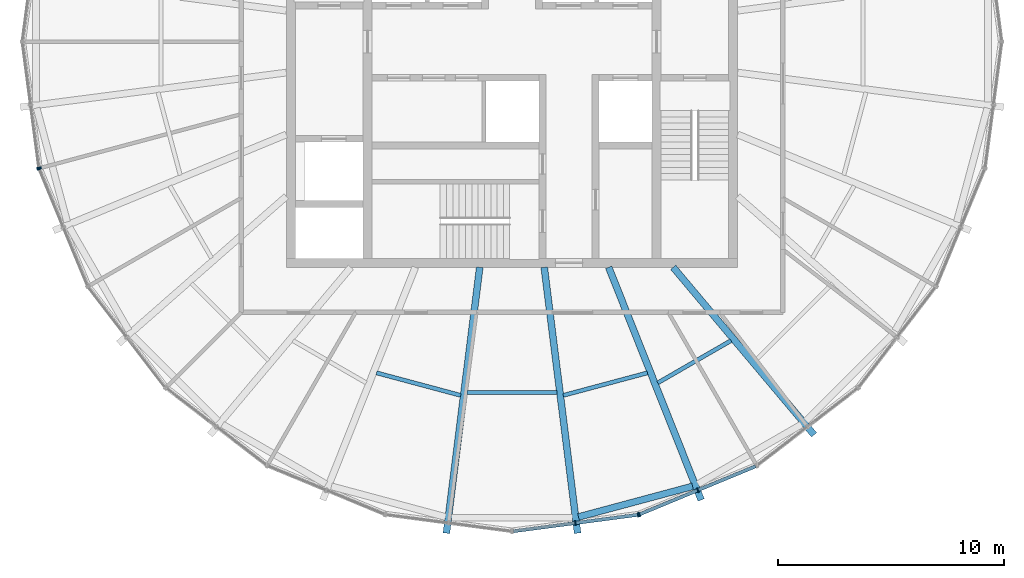
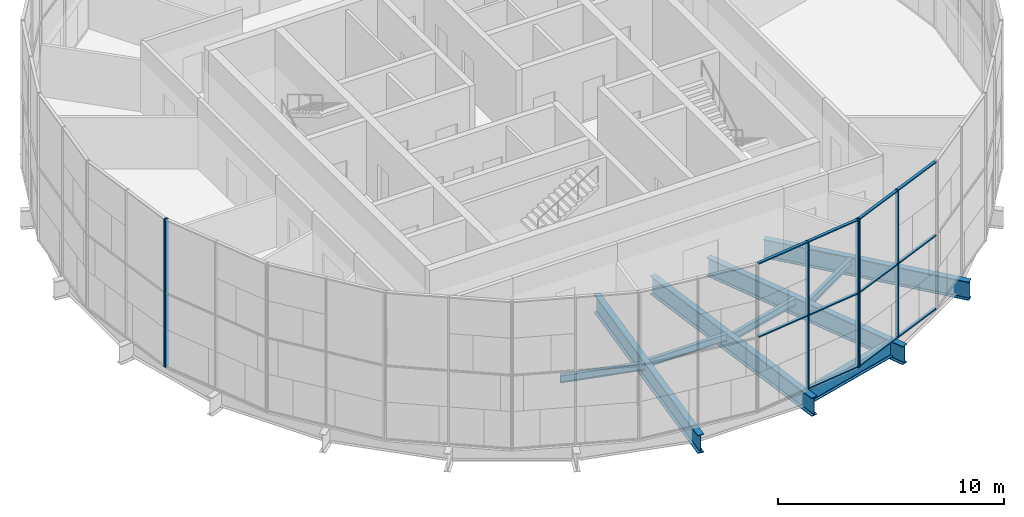
# One storey, part 2 of 18: 17 members, 9 beams, 4 elements without a shape of their own.
"""IFC4 building model written with IfcOpenShell, lengths in metres."""

from ifc_helpers import new_model, si_unit, direction, frame, origin, origin_2d, place, context, subcontext, project, spatial, rectangle, i_section, extrude, material, material_profile, profile_set, type_object, element, aggregate, save


model = new_model("IFC4")

# Units and contexts
model_context = context("Model", 3, precision=1e-05, world=origin(), true_north=direction((0.0, 1.0)))
body_context = subcontext(model_context, "Body", "Model", "MODEL_VIEW")
ifc_project = project(units=[si_unit("LENGTHUNIT", "METRE"), si_unit("AREAUNIT", "SQUARE_METRE"), si_unit("VOLUMEUNIT", "CUBIC_METRE"), si_unit("PLANEANGLEUNIT", "RADIAN"), si_unit("MASSUNIT", "GRAM", prefix="KILO")], contexts=[model_context])

# Site, building, storey
site_placement = place(None, origin())
site = spatial("IfcSite", under=ifc_project, at=site_placement, CompositionType="ELEMENT")
building_placement = place(site_placement, origin())
building = spatial("IfcBuilding", under=site, at=building_placement, Name="Golbaran Civic Tower", CompositionType="ELEMENT")
storey_placement = place(building_placement, frame((0.0, 0.0, 272.0)))
storey = spatial("IfcBuildingStorey", under=building, at=storey_placement, Name="L66", CompositionType="ELEMENT", Elevation=272.0)

# Beams
ifc_material_1 = material(Name="Steel S355", Category="steel")
ifc_material_profile_1 = material_profile(ifc_material_1, i_section(OverallWidth=0.300048828125, OverallDepth=0.800048828125, WebThickness=0.017578125, FlangeThickness=0.032958984375, FilletRadius=0.030029296875, at=origin_2d()), Name="HEB 800")
ifc_profile_set_1 = profile_set([ifc_material_profile_1], Name="Steel S355")
beam_type_1 = type_object("IfcBeamType", Name="EDGE BEAM HEB 800", PredefinedType="BEAM", material=ifc_profile_set_1)
beam_1_placement = place(storey_placement, frame((2.94677734375, -21.061767578125, -0.60009765625), z_axis=(0.965775895826, 0.259377946329, 0.0), x_axis=(-0.259377946329, 0.965775895826, 0.0)))
element("IfcBeam", 1, at=beam_1_placement, inside=storey, type_object=beam_type_1, Name="Edge beam 277.59 L66", PredefinedType="BEAM", context=body_context, shape_type="SweptSolid", body=[
    extrude(i_section(OverallWidth=0.300048828125, OverallDepth=0.800048828125, WebThickness=0.017578125, FlangeThickness=0.032958984375, FilletRadius=0.030029296875, at=origin_2d()), origin(), (0.0, 0.0, 1.0), 5.234375),
])
ifc_material_profile_2 = material_profile(ifc_material_1, i_section(OverallWidth=0.179931640625, OverallDepth=0.39990234375, WebThickness=0.008544921875, FlangeThickness=0.013427734375, FilletRadius=0.02099609375, at=origin_2d()), Name="IPE 400")
ifc_profile_set_2 = profile_set([ifc_material_profile_2], Name="Steel S355")
beam_type_2 = type_object("IfcBeamType", Name="FLOOR INFILL BEAM IPE 400", PredefinedType="BEAM", material=ifc_profile_set_2)
beam_2_placement = place(storey_placement, frame((-6.003662109375, -14.67529296875, -0.39990234375), z_axis=(0.965932258808, -0.25879503742, 0.0), x_axis=(0.25879503742, 0.965932258808, 0.0)))
element("IfcBeam", 2, at=beam_2_placement, inside=storey, type_object=beam_type_2, Name="Infill beam 255.00 L66", PredefinedType="BEAM", context=body_context, shape_type="SweptSolid", body=[
    extrude(i_section(OverallWidth=0.179931640625, OverallDepth=0.39990234375, WebThickness=0.008544921875, FlangeThickness=0.013427734375, FilletRadius=0.02099609375, at=origin_2d()), origin(), (0.0, 0.0, 1.0), 3.864013671875),
])
beam_3_placement = place(storey_placement, frame((-1.993408203125, -15.5478515625, -0.39990234375), z_axis=(1.0, 0.0, 0.0), x_axis=(0.0, 1.0, 0.0)))
element("IfcBeam", 3, at=beam_3_placement, inside=storey, type_object=beam_type_2, Name="Infill beam 270.00 L66", PredefinedType="BEAM", context=body_context, shape_type="SweptSolid", body=[
    extrude(i_section(OverallWidth=0.179931640625, OverallDepth=0.39990234375, WebThickness=0.008544921875, FlangeThickness=0.013427734375, FilletRadius=0.02099609375, at=origin_2d()), origin(), (0.0, 0.0, 1.0), 3.98681640625),
])
beam_4_placement = place(storey_placement, frame((2.271240234375, -15.67529296875, -0.39990234375), z_axis=(0.965932258808, 0.25879503742, 0.0), x_axis=(-0.25879503742, 0.965932258808, 0.0)))
element("IfcBeam", 4, at=beam_4_placement, inside=storey, type_object=beam_type_2, Name="Infill beam 285.00 L66", PredefinedType="BEAM", context=body_context, shape_type="SweptSolid", body=[
    extrude(i_section(OverallWidth=0.179931640625, OverallDepth=0.39990234375, WebThickness=0.008544921875, FlangeThickness=0.013427734375, FilletRadius=0.02099609375, at=origin_2d()), origin(), (0.0, 0.0, 1.0), 3.864013671875),
])
beam_5_placement = place(storey_placement, frame((6.4599609375, -15.119873046875, -0.39990234375), z_axis=(0.866016249639, 0.500015855109, 0.0), x_axis=(-0.500015855109, 0.866016249639, 0.0)))
element("IfcBeam", 5, at=beam_5_placement, inside=storey, type_object=beam_type_2, Name="Infill beam 300.00 L66", PredefinedType="BEAM", context=body_context, shape_type="SweptSolid", body=[
    extrude(i_section(OverallWidth=0.179931640625, OverallDepth=0.39990234375, WebThickness=0.008544921875, FlangeThickness=0.013427734375, FilletRadius=0.02099609375, at=origin_2d()), origin(), (0.0, 0.0, 1.0), 3.74560546875),
])

# Curtain wall, member
ifc_material_2 = material(Name="Aluminium and glass", Category="aluminium")
curtain_wall_type = type_object("IfcCurtainWallType", Name="INNER SKIN CURTAIN WALL EXECUTIVE", PredefinedType="NOTDEFINED", material=ifc_material_2)
curtain_wall_1_placement = place(storey_placement, origin())
curtain_wall_1 = element("IfcCurtainWall", 6, at=curtain_wall_1_placement, inside=storey, type_object=curtain_wall_type, Name="Inner skin L66 facet 13 CW2", ObjectType="INNER SKIN", PredefinedType="USERDEFINED")
ifc_material_3 = material(Name="Aluminium", Category="aluminium")
ifc_material_profile_3 = material_profile(ifc_material_3, rectangle(XDim=0.199951171875, YDim=0.06005859375, at=origin_2d()), Name="INNER SKIN CURTAIN WALL EXECUTIVE MULLION")
ifc_profile_set_3 = profile_set([ifc_material_profile_3], Name="Aluminium")
member_type_1 = type_object("IfcMemberType", Name="INNER SKIN CURTAIN WALL EXECUTIVE MULLION", PredefinedType="MULLION", material=ifc_profile_set_3)
member_1_placement = place(storey_placement, frame((-20.963623046875, -5.58642578125, 0.0), z_axis=(0.0, 0.0, 1.0), x_axis=(0.991444861383, 0.130526192151, 0.0)))
member_1 = element("IfcMember", 7, at=member_1_placement, type_object=member_type_1, Name="CW2 mullion 3", PredefinedType="MULLION", context=body_context, shape_type="SweptSolid", body=[
    extrude(rectangle(XDim=0.199951171875, YDim=0.06005859375, at=origin_2d()), origin(), (0.0, 0.0, 1.0), 8.0),
])
aggregate(curtain_wall_1, [member_1])

curtain_wall_2_placement = place(storey_placement, origin())
curtain_wall_2 = element("IfcCurtainWall", 8, at=curtain_wall_2_placement, inside=storey, type_object=curtain_wall_type, Name="Inner skin L66 facet 14 CW2", ObjectType="INNER SKIN", PredefinedType="USERDEFINED")
member_2_placement = place(storey_placement, frame((-20.9482421875, -5.643798828125, 0.0), z_axis=(0.0, 0.0, 1.0), x_axis=(0.923879532498, 0.382683432397, 0.0)))
member_2 = element("IfcMember", 9, at=member_2_placement, type_object=member_type_1, Name="CW2 mullion 1", PredefinedType="MULLION", context=body_context, shape_type="SweptSolid", body=[
    extrude(rectangle(XDim=0.199951171875, YDim=0.06005859375, at=origin_2d()), origin(), (0.0, 0.0, 1.0), 8.0),
])
aggregate(curtain_wall_2, [member_2])

# Curtain wall, members
curtain_wall_3_placement = place(storey_placement, origin())
curtain_wall_3 = element("IfcCurtainWall", 10, at=curtain_wall_3_placement, inside=storey, type_object=curtain_wall_type, Name="Inner skin L66 facet 19 CW2", ObjectType="INNER SKIN", PredefinedType="USERDEFINED")
member_3_placement = place(storey_placement, frame((2.80810546875, -21.329345703125, 0.0), z_axis=(0.0, 0.0, 1.0), x_axis=(-0.130526192151, 0.991444861383, 0.0)))
member_3 = element("IfcMember", 11, at=member_3_placement, type_object=member_type_1, Name="CW2 mullion 2", PredefinedType="MULLION", context=body_context, shape_type="SweptSolid", body=[
    extrude(rectangle(XDim=0.199951171875, YDim=0.06005859375, at=origin_2d()), origin(), (0.0, 0.0, 1.0), 8.0),
])
member_4_placement = place(storey_placement, frame((5.58642578125, -20.963623046875, 0.0), z_axis=(0.0, 0.0, 1.0), x_axis=(-0.130526192151, 0.991444861383, 0.0)))
member_4 = element("IfcMember", 12, at=member_4_placement, type_object=member_type_1, Name="CW2 mullion 3", PredefinedType="MULLION", context=body_context, shape_type="SweptSolid", body=[
    extrude(rectangle(XDim=0.199951171875, YDim=0.06005859375, at=origin_2d()), origin(), (0.0, 0.0, 1.0), 8.0),
])

curtain_wall_4_placement = place(storey_placement, origin())
curtain_wall_4 = element("IfcCurtainWall", 13, at=curtain_wall_4_placement, inside=storey, type_object=curtain_wall_type, Name="Inner skin L66 facet 20 CW2", ObjectType="INNER SKIN", PredefinedType="USERDEFINED")
member_5_placement = place(storey_placement, frame((5.643798828125, -20.9482421875, 0.0), z_axis=(0.0, 0.0, 1.0), x_axis=(-0.382683432397, 0.923879532498, 0.0)))
member_5 = element("IfcMember", 14, at=member_5_placement, type_object=member_type_1, Name="CW2 mullion 1", PredefinedType="MULLION", context=body_context, shape_type="SweptSolid", body=[
    extrude(rectangle(XDim=0.199951171875, YDim=0.06005859375, at=origin_2d()), origin(), (0.0, 0.0, 1.0), 8.0),
])
member_6_placement = place(storey_placement, frame((8.23291015625, -19.875732421875, 0.0), z_axis=(0.0, 0.0, 1.0), x_axis=(-0.382683432397, 0.923879532498, 0.0)))
member_6 = element("IfcMember", 15, at=member_6_placement, type_object=member_type_1, Name="CW2 mullion 2", PredefinedType="MULLION", context=body_context, shape_type="SweptSolid", body=[
    extrude(rectangle(XDim=0.199951171875, YDim=0.06005859375, at=origin_2d()), origin(), (0.0, 0.0, 1.0), 8.0),
])

# Member
ifc_material_profile_4 = material_profile(ifc_material_3, rectangle(XDim=0.14990234375, YDim=0.06005859375, at=origin_2d()), Name="INNER SKIN CURTAIN WALL EXECUTIVE TRANSOM")
ifc_profile_set_4 = profile_set([ifc_material_profile_4], Name="Aluminium")
member_type_2 = type_object("IfcMemberType", Name="INNER SKIN CURTAIN WALL EXECUTIVE TRANSOM", PredefinedType="USERDEFINED", material=ifc_profile_set_4)
member_7_placement = place(storey_placement, frame((0.0595703125, -21.691162109375, 4.0), z_axis=(0.99144580856, 0.130518997427, 0.0), x_axis=(-0.130518997427, 0.99144580856, 0.0)))
member_7 = element("IfcMember", 16, at=member_7_placement, type_object=member_type_2, Name="CW2 transom 1.2", ObjectType="TRANSOM", PredefinedType="USERDEFINED", context=body_context, shape_type="SweptSolid", body=[
    extrude(rectangle(XDim=0.14990234375, YDim=0.06005859375, at=origin_2d()), origin(), (0.0, 0.0, 1.0), 2.7421875),
])

member_8_placement = place(storey_placement, frame((0.0595703125, -21.691162109375, 7.969970703125), z_axis=(0.99144580856, 0.130518997427, 0.0), x_axis=(-0.130518997427, 0.99144580856, 0.0)))
member_8 = element("IfcMember", 17, at=member_8_placement, type_object=member_type_2, Name="CW2 transom 1.3", ObjectType="TRANSOM", PredefinedType="USERDEFINED", context=body_context, shape_type="SweptSolid", body=[
    extrude(rectangle(XDim=0.14990234375, YDim=0.06005859375, at=origin_2d()), origin(), (0.0, 0.0, 1.0), 2.7421875),
])

member_9_placement = place(storey_placement, frame((2.837890625, -21.325439453125, 0.030029296875), z_axis=(0.99144580856, 0.130518997427, 0.0), x_axis=(-0.130518997427, 0.99144580856, 0.0)))
member_9 = element("IfcMember", 18, at=member_9_placement, type_object=member_type_2, Name="CW2 transom 2.1", ObjectType="TRANSOM", PredefinedType="USERDEFINED", context=body_context, shape_type="SweptSolid", body=[
    extrude(rectangle(XDim=0.14990234375, YDim=0.06005859375, at=origin_2d()), origin(), (0.0, 0.0, 1.0), 2.7421875),
])

member_10_placement = place(storey_placement, frame((2.837890625, -21.325439453125, 4.0), z_axis=(0.99144580856, 0.130518997427, 0.0), x_axis=(-0.130518997427, 0.99144580856, 0.0)))
member_10 = element("IfcMember", 19, at=member_10_placement, type_object=member_type_2, Name="CW2 transom 2.2", ObjectType="TRANSOM", PredefinedType="USERDEFINED", context=body_context, shape_type="SweptSolid", body=[
    extrude(rectangle(XDim=0.14990234375, YDim=0.06005859375, at=origin_2d()), origin(), (0.0, 0.0, 1.0), 2.7421875),
])

member_11_placement = place(storey_placement, frame((2.837890625, -21.325439453125, 7.969970703125), z_axis=(0.99144580856, 0.130518997427, 0.0), x_axis=(-0.130518997427, 0.99144580856, 0.0)))
member_11 = element("IfcMember", 20, at=member_11_placement, type_object=member_type_2, Name="CW2 transom 2.3", ObjectType="TRANSOM", PredefinedType="USERDEFINED", context=body_context, shape_type="SweptSolid", body=[
    extrude(rectangle(XDim=0.14990234375, YDim=0.06005859375, at=origin_2d()), origin(), (0.0, 0.0, 1.0), 2.7421875),
])

aggregate(curtain_wall_3, [member_3, member_4, member_7, member_8, member_9, member_10, member_11])

member_12_placement = place(storey_placement, frame((5.671630859375, -20.936767578125, 0.030029296875), z_axis=(0.923857312765, 0.382737071174, 0.0), x_axis=(-0.382737071174, 0.923857312765, 0.0)))
member_12 = element("IfcMember", 21, at=member_12_placement, type_object=member_type_2, Name="CW2 transom 1.1", ObjectType="TRANSOM", PredefinedType="USERDEFINED", context=body_context, shape_type="SweptSolid", body=[
    extrude(rectangle(XDim=0.14990234375, YDim=0.06005859375, at=origin_2d()), origin(), (0.0, 0.0, 1.0), 2.7421875),
])

member_13_placement = place(storey_placement, frame((5.671630859375, -20.936767578125, 4.0), z_axis=(0.923857312765, 0.382737071174, 0.0), x_axis=(-0.382737071174, 0.923857312765, 0.0)))
member_13 = element("IfcMember", 22, at=member_13_placement, type_object=member_type_2, Name="CW2 transom 1.2", ObjectType="TRANSOM", PredefinedType="USERDEFINED", context=body_context, shape_type="SweptSolid", body=[
    extrude(rectangle(XDim=0.14990234375, YDim=0.06005859375, at=origin_2d()), origin(), (0.0, 0.0, 1.0), 2.7421875),
])

member_14_placement = place(storey_placement, frame((5.671630859375, -20.936767578125, 7.969970703125), z_axis=(0.923857312765, 0.382737071174, 0.0), x_axis=(-0.382737071174, 0.923857312765, 0.0)))
member_14 = element("IfcMember", 23, at=member_14_placement, type_object=member_type_2, Name="CW2 transom 1.3", ObjectType="TRANSOM", PredefinedType="USERDEFINED", context=body_context, shape_type="SweptSolid", body=[
    extrude(rectangle(XDim=0.14990234375, YDim=0.06005859375, at=origin_2d()), origin(), (0.0, 0.0, 1.0), 2.7421875),
])

member_15_placement = place(storey_placement, frame((8.260498046875, -19.8642578125, 0.030029296875), z_axis=(0.923888790987, 0.382661079663, 0.0), x_axis=(-0.382661079663, 0.923888790987, 0.0)))
member_15 = element("IfcMember", 24, at=member_15_placement, type_object=member_type_2, Name="CW2 transom 2.1", ObjectType="TRANSOM", PredefinedType="USERDEFINED", context=body_context, shape_type="SweptSolid", body=[
    extrude(rectangle(XDim=0.14990234375, YDim=0.06005859375, at=origin_2d()), origin(), (0.0, 0.0, 1.0), 2.7421875),
])

member_16_placement = place(storey_placement, frame((8.260498046875, -19.8642578125, 4.0), z_axis=(0.923888790987, 0.382661079663, 0.0), x_axis=(-0.382661079663, 0.923888790987, 0.0)))
member_16 = element("IfcMember", 25, at=member_16_placement, type_object=member_type_2, Name="CW2 transom 2.2", ObjectType="TRANSOM", PredefinedType="USERDEFINED", context=body_context, shape_type="SweptSolid", body=[
    extrude(rectangle(XDim=0.14990234375, YDim=0.06005859375, at=origin_2d()), origin(), (0.0, 0.0, 1.0), 2.7421875),
])

member_17_placement = place(storey_placement, frame((8.260498046875, -19.8642578125, 7.969970703125), z_axis=(0.923888790987, 0.382661079663, 0.0), x_axis=(-0.382661079663, 0.923888790987, 0.0)))
member_17 = element("IfcMember", 26, at=member_17_placement, type_object=member_type_2, Name="CW2 transom 2.3", ObjectType="TRANSOM", PredefinedType="USERDEFINED", context=body_context, shape_type="SweptSolid", body=[
    extrude(rectangle(XDim=0.14990234375, YDim=0.06005859375, at=origin_2d()), origin(), (0.0, 0.0, 1.0), 2.7421875),
])

aggregate(curtain_wall_4, [member_5, member_6, member_12, member_13, member_14, member_15, member_16, member_17])

# Beams
ifc_material_profile_5 = material_profile(ifc_material_1, i_section(OverallWidth=0.300048828125, OverallDepth=1.0, WebThickness=0.01904296875, FlangeThickness=0.035888671875, FilletRadius=0.030029296875, at=origin_2d()), Name="HEB 1000")
ifc_profile_set_5 = profile_set([ifc_material_profile_5], Name="Steel S355")
beam_type_3 = type_object("IfcBeamType", Name="RADIAL FLOOR BEAM HEB 1000", PredefinedType="BEAM", material=ifc_profile_set_5)
for number, where, z_axis, x_axis, name in (
    (27, (-1.428466796875, -10.0, -0.7099609375), (-0.124449788363, -0.992225906826, 0.0), (0.992225906826, -0.124449788363, 0.0), "Radial beam 262.41 L66"),
    (28, (1.428466796875, -10.0, -0.7099609375), (0.124449788363, -0.992225906826, 0.0), (0.992225906826, 0.124449788363, 0.0), "Radial beam 277.59 L66"),
):
    element("IfcBeam", number, at=place(storey_placement, frame(where, z_axis=z_axis, x_axis=x_axis)), inside=storey, type_object=beam_type_3, Name=name, PredefinedType="BEAM", context=body_context, shape_type="SweptSolid", body=[
        extrude(i_section(OverallWidth=0.300048828125, OverallDepth=1.0, WebThickness=0.01904296875, FlangeThickness=0.035888671875, FilletRadius=0.030029296875, at=origin_2d()), origin(), (0.0, 0.0, 1.0), 11.87255859375),
    ])
beam_6_placement = place(storey_placement, frame((4.28564453125, -10.0, -0.7099609375), z_axis=(0.369287868071, -0.929315054487, 0.0), x_axis=(0.929315054487, 0.369287868071, 0.0)))
element("IfcBeam", 29, at=beam_6_placement, inside=storey, type_object=beam_type_3, Name="Radial beam 292.41 L66", PredefinedType="BEAM", context=body_context, shape_type="SweptSolid", body=[
    extrude(i_section(OverallWidth=0.300048828125, OverallDepth=1.0, WebThickness=0.01904296875, FlangeThickness=0.035888671875, FilletRadius=0.030029296875, at=origin_2d()), origin(), (0.0, 0.0, 1.0), 11.0947265625),
])
beam_7_placement = place(storey_placement, frame((7.142822265625, -10.0, -0.7099609375), z_axis=(0.643602281721, -0.765360113256, 0.0), x_axis=(0.765360113256, 0.643602281721, 0.0)))
element("IfcBeam", 30, at=beam_7_placement, inside=storey, type_object=beam_type_3, Name="Radial beam 307.59 L66", PredefinedType="BEAM", context=body_context, shape_type="SweptSolid", body=[
    extrude(i_section(OverallWidth=0.300048828125, OverallDepth=1.0, WebThickness=0.01904296875, FlangeThickness=0.035888671875, FilletRadius=0.030029296875, at=origin_2d()), origin(), (0.0, 0.0, 1.0), 9.69873046875),
])

save(model, "model.ifc")
